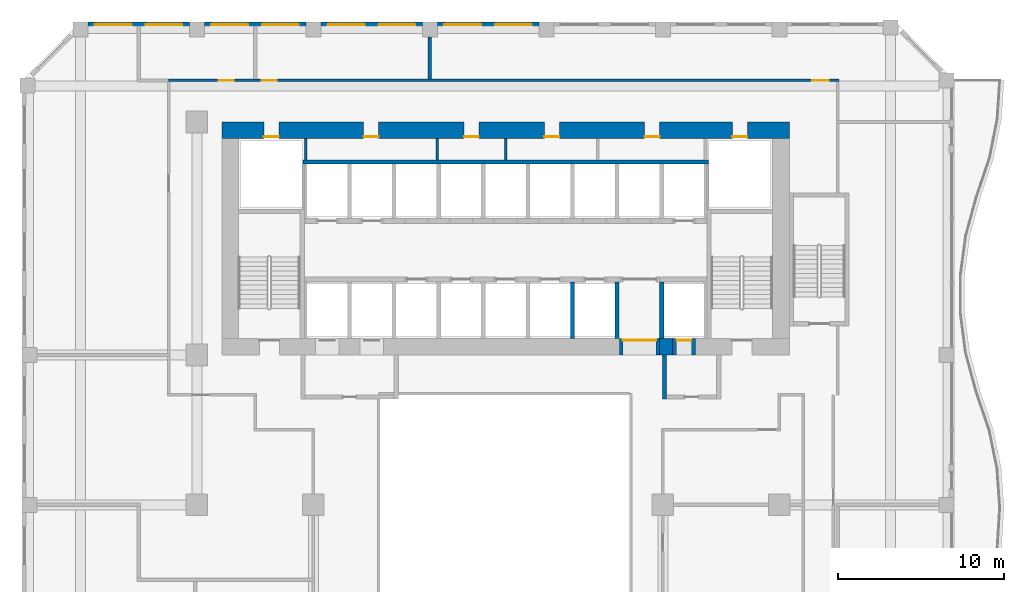
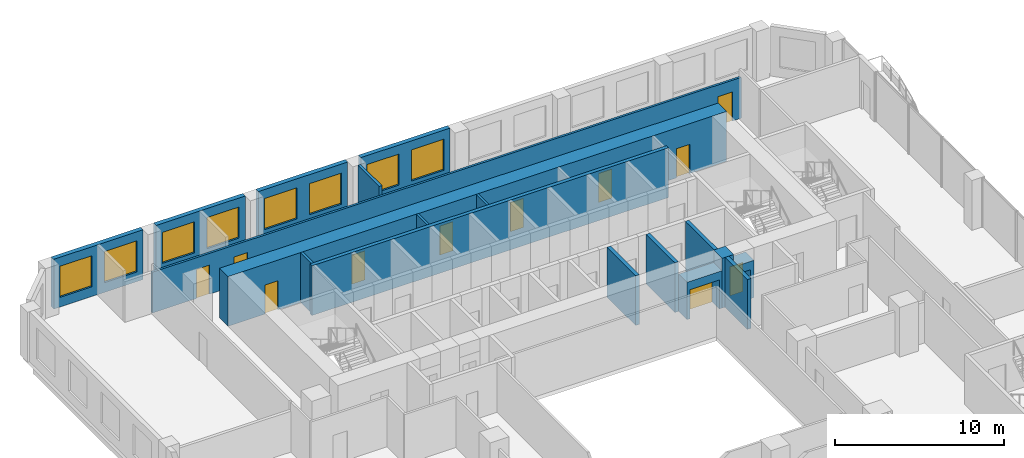
# One storey, part 16 of 23: 18 walls, 11 doors, 8 windows, 19 openings.
"""IFC4 building model written with IfcOpenShell, lengths in metres."""

import ifcopenshell
import ifcopenshell.guid

model = None  # the IFC model being written
_history = None  # IfcOwnerHistory: only IFC2X3 demands one
_inside = {}  # id of a spatial element -> (the spatial element, [elements in it])
_under = {}  # id of a project, library or spatial element -> (it, [spatial elements below it])
_declared = {}  # id of a project -> (the project, [libraries it declares])
_typed = {}  # id of a type object -> (the type object, [elements of that type])
_made_of = {}  # id of a material, layer set ... -> (it, [elements and type objects made of it])


def new_model(schema):
    """Start an empty IFC model of exactly this schema.

    Asked for "IFC4X3", IfcOpenShell would pick the latest addendum, in which some entities
    have other attributes; the version numbers below select the first issue.
    IFC2X3 requires an IfcOwnerHistory on every rooted entity: one is made here for all.
    """
    global model, _history
    if schema == "IFC4X3":
        model = ifcopenshell.file(schema_version=(4, 3, 0, 0))
    else:
        model = ifcopenshell.file(schema=schema)
    _inside.clear()
    _under.clear()
    _declared.clear()
    _typed.clear()
    _made_of.clear()
    _history = None
    if model.schema == "IFC2X3":
        org = make("IfcOrganization", Name="unknown")
        user = make(
            "IfcPersonAndOrganization",
            ThePerson=make("IfcPerson", FamilyName="unknown"),
            TheOrganization=org,
        )
        app = make(
            "IfcApplication",
            ApplicationDeveloper=org,
            Version="unknown",
            ApplicationFullName="unknown",
            ApplicationIdentifier="unknown",
        )
        _history = make(
            "IfcOwnerHistory",
            OwningUser=user,
            OwningApplication=app,
            ChangeAction="ADDED",
            CreationDate=0,
        )
    return model


def make(cls, **values):
    """One entity of the class cls with the attributes given. An attribute that is None is left unset."""
    return model.create_entity(
        cls, **{name: value for name, value in values.items() if value is not None}
    )


def rooted(cls, **values):
    """An entity with a GlobalId (a new one), such as an element, a storey or a relation."""
    return make(cls, GlobalId=ifcopenshell.guid.new(), OwnerHistory=_history, **values)


def si_unit(unit_type, name, prefix=None):
    """IfcSIUnit, for example si_unit("LENGTHUNIT", "METRE", prefix="MILLI")."""
    return make("IfcSIUnit", UnitType=unit_type, Prefix=prefix, Name=name)


def assignment(units):
    """IfcUnitAssignment: the units of a project."""
    return None if units is None else make("IfcUnitAssignment", Units=units)


def point(xyz):
    """IfcCartesianPoint."""
    return None if xyz is None else make("IfcCartesianPoint", Coordinates=xyz)


def direction(xyz):
    """IfcDirection."""
    return None if xyz is None else make("IfcDirection", DirectionRatios=xyz)


def frame(location, z_axis=None, x_axis=None):
    """IfcAxis2Placement3D, a coordinate frame: its origin and axes. An axis left out is left unset."""
    return make(
        "IfcAxis2Placement3D",
        Location=point(location),
        Axis=direction(z_axis),
        RefDirection=direction(x_axis),
    )


def frame_2d(location, x_axis=None):
    """IfcAxis2Placement2D, a coordinate frame in the plane: its origin and x axis."""
    return make(
        "IfcAxis2Placement2D", Location=point(location), RefDirection=direction(x_axis)
    )


def origin():
    """The frame at (0, 0, 0) with its axes left unset."""
    return frame((0.0, 0.0, 0.0))


def place(relative_to, where):
    """IfcLocalPlacement: puts the frame where relative to a parent placement (None: the world)."""
    return make(
        "IfcLocalPlacement", PlacementRelTo=relative_to, RelativePlacement=where
    )


def context(
    kind, dimensions, precision=None, world=None, true_north=None, identifier=None
):
    """IfcGeometricRepresentationContext, for example the 3D "Model" context."""
    return make(
        "IfcGeometricRepresentationContext",
        ContextIdentifier=identifier,
        ContextType=kind,
        CoordinateSpaceDimension=dimensions,
        Precision=precision,
        WorldCoordinateSystem=world,
        TrueNorth=true_north,
    )


def subcontext(parent, identifier, kind, view, scale=None):
    """IfcGeometricRepresentationSubContext, for example "Body" below "Model"."""
    return make(
        "IfcGeometricRepresentationSubContext",
        ContextIdentifier=identifier,
        ContextType=kind,
        ParentContext=parent,
        TargetScale=scale,
        TargetView=view,
    )


def project(units=None, contexts=None):
    """IfcProject with its units and contexts."""
    return rooted(
        "IfcProject",
        Name="project",
        RepresentationContexts=contexts,
        UnitsInContext=assignment(units),
    )


def spatial(cls, under=None, at=None, **own):
    """A site, building, storey or space (cls), placed at a placement, below another one or the project."""
    s = rooted(cls, ObjectPlacement=at, **own)
    if under is not None:
        _under.setdefault(under.id(), (under, []))[1].append(s)
    return s


def profile(cls, at=None, kind="AREA", **sizes):
    """A parametric profile (cls). Its sizes go by their IFC names, for example OverallWidth=200.0."""
    return make(cls, ProfileType=kind, Position=at, **sizes)


def rectangle(**sizes):
    """IfcRectangleProfileDef."""
    return profile("IfcRectangleProfileDef", **sizes)


def extrude(swept, where, along, depth):
    """IfcExtrudedAreaSolid: the profile swept, set in the frame where, extruded along a direction by depth."""
    return make(
        "IfcExtrudedAreaSolid",
        SweptArea=swept,
        Position=where,
        ExtrudedDirection=direction(along),
        Depth=depth,
    )


def shape(context_of_items, identifier, shape_type, items):
    """IfcShapeRepresentation: the items that make up one representation, for example the "Body"."""
    return make(
        "IfcShapeRepresentation",
        ContextOfItems=context_of_items,
        RepresentationIdentifier=identifier,
        RepresentationType=shape_type,
        Items=items,
    )


def source(mapping_origin, context_of_items, identifier, shape_type, items):
    """IfcRepresentationMap: a shape defined once, which mapped items show again and again."""
    return make(
        "IfcRepresentationMap",
        MappingOrigin=mapping_origin,
        MappedRepresentation=shape(context_of_items, identifier, shape_type, items),
    )


def transform(
    local_origin,
    x_axis=None,
    y_axis=None,
    z_axis=None,
    scale=None,
    scale2=None,
    scale3=None,
    uniform=True,
):
    """IfcCartesianTransformationOperator3D, or its non-uniform kind. x_axis, y_axis, z_axis: its Axis1, 2, 3."""
    if uniform:
        return make(
            "IfcCartesianTransformationOperator3D",
            Axis1=direction(x_axis),
            Axis2=direction(y_axis),
            LocalOrigin=point(local_origin),
            Scale=scale,
            Axis3=direction(z_axis),
        )
    return make(
        "IfcCartesianTransformationOperator3DnonUniform",
        Axis1=direction(x_axis),
        Axis2=direction(y_axis),
        LocalOrigin=point(local_origin),
        Scale=scale,
        Axis3=direction(z_axis),
        Scale2=scale2,
        Scale3=scale3,
    )


def mapped(mapping_source, mapping_target):
    """IfcMappedItem: shows the shape of a source again, moved by a transform."""
    return make(
        "IfcMappedItem", MappingSource=mapping_source, MappingTarget=mapping_target
    )


def material(Name=None, Category=None):
    """IfcMaterial."""
    return make("IfcMaterial", Name=Name, Category=Category)


def layer(
    of_material, thickness, ventilated=None, Name=None, Category=None, Priority=None
):
    """IfcMaterialLayer: one layer of a wall or slab, of a material (None: an air gap)."""
    return make(
        "IfcMaterialLayer",
        Material=of_material,
        LayerThickness=thickness,
        IsVentilated=ventilated,
        Name=Name,
        Category=Category,
        Priority=Priority,
    )


def layer_set(layers, Name=None):
    """IfcMaterialLayerSet."""
    return make("IfcMaterialLayerSet", MaterialLayers=layers, LayerSetName=Name)


def made_of(thing, what):
    """Note that an element or type object is made of a material, layer set ...; save() writes the relation."""
    if what is not None:
        _made_of.setdefault(what.id(), (what, []))[1].append(thing)
    return thing


def type_object(cls, material=None, **own):
    """A type object (cls), such as IfcWallType, which elements share."""
    return made_of(rooted(cls, **own), material)


def element(
    cls,
    number,
    at=None,
    inside=None,
    cuts=None,
    type_object=None,
    material=None,
    context=None,
    identifier="Body",
    shape_type=None,
    held_by="IfcProductDefinitionShape",
    body=None,
    shapes=None,
    **own,
):
    """One element of the class cls, such as IfcWall. Its Tag is "e" and its number.

    at: its placement. inside: the storey or other place that contains it. cuts: it is an
    opening in that element (IfcRelVoidsElement). A single representation is given by context,
    identifier, shape_type and body (its items); several are given by shapes. held_by: the class
    of the entity that holds the representations. save() writes the other relations.
    """
    e = rooted(cls, Tag="e%d" % number, ObjectPlacement=at, **own)
    if body is not None:
        shapes = [shape(context, identifier, shape_type, body)]
    if shapes is not None:
        e.Representation = make(held_by, Representations=shapes)
    if inside is not None:
        _inside.setdefault(inside.id(), (inside, []))[1].append(e)
    if cuts is not None:
        rooted(
            "IfcRelVoidsElement", RelatingBuildingElement=cuts, RelatedOpeningElement=e
        )
    if type_object is not None:
        _typed.setdefault(type_object.id(), (type_object, []))[1].append(e)
    return made_of(e, material)


def fill(opening, filler):
    """IfcRelFillsElement: the door or window that sits in an opening."""
    return rooted(
        "IfcRelFillsElement",
        RelatingOpeningElement=opening,
        RelatedBuildingElement=filler,
    )


def aggregate(whole, parts):
    """IfcRelAggregates: a whole, such as a stair, and the parts it consists of."""
    return rooted("IfcRelAggregates", RelatingObject=whole, RelatedObjects=parts)


def save(model, path):
    """Write the relations noted so far, then the file.

    IfcRelAggregates (storeys below a building ...), IfcRelContainedInSpatialStructure (elements
    in a storey), IfcRelDefinesByType, IfcRelAssociatesMaterial and IfcRelDeclares: one each for
    every whole, place, type object, material and project.
    """
    for whole, parts in _under.values():
        aggregate(whole, parts)
    for where, things in _inside.values():
        rooted(
            "IfcRelContainedInSpatialStructure",
            RelatedElements=things,
            RelatingStructure=where,
        )
    for kind, things in _typed.values():
        rooted("IfcRelDefinesByType", RelatedObjects=things, RelatingType=kind)
    for what, things in _made_of.values():
        rooted("IfcRelAssociatesMaterial", RelatedObjects=things, RelatingMaterial=what)
    for by, libraries in _declared.values():
        rooted("IfcRelDeclares", RelatingContext=by, RelatedDefinitions=libraries)
    model.write(path)


model = new_model("IFC4")

# Units and contexts
model_context = context("Model", 3, precision=1e-05, world=origin(), true_north=direction((0.0, 1.0)))
body_context = subcontext(model_context, "Body", "Model", "MODEL_VIEW")
ifc_project = project(units=[si_unit("LENGTHUNIT", "METRE"), si_unit("AREAUNIT", "SQUARE_METRE"), si_unit("VOLUMEUNIT", "CUBIC_METRE"), si_unit("PLANEANGLEUNIT", "RADIAN"), si_unit("MASSUNIT", "GRAM", prefix="KILO")], contexts=[model_context])

# Site, building, storey
site_placement = place(None, origin())
site = spatial("IfcSite", under=ifc_project, at=site_placement, CompositionType="ELEMENT")
building_placement = place(site_placement, origin())
building = spatial("IfcBuilding", under=site, at=building_placement, Name="Kilnfold Tower and Market Hall", CompositionType="ELEMENT")
storey_placement = place(building_placement, frame((0.0, 0.0, 55.0)))
storey = spatial("IfcBuildingStorey", under=building, at=storey_placement, Name="L12", CompositionType="ELEMENT", Elevation=55.0)

# Wall, openings, doors
ifc_material_1 = material(Name="Gypsum board on steel studs", Category="steel")
ifc_layer_1 = layer(ifc_material_1, 0.14990234375)
ifc_layer_set_1 = layer_set([ifc_layer_1], Name="Gypsum board on steel studs")
wall_type_1 = type_object("IfcWallType", Name="WALL CORRIDOR 150", PredefinedType="PARTITIONING", material=ifc_layer_set_1)
wall_1_placement = place(storey_placement, frame((-19.199951171875, 24.5, 0.0), z_axis=(0.0, 0.0, 1.0), x_axis=(1.0, 0.0, 0.0)))
wall_1 = element("IfcWall", 1, at=wall_1_placement, inside=storey, type_object=wall_type_1, Name="Partition LY10.40", PredefinedType="PARTITIONING", context=body_context, shape_type="SweptSolid", body=[
    extrude(rectangle(XDim=40.27490234375, YDim=0.14990234375, at=frame_2d((20.137451171875, 0.0))), origin(), (0.0, 0.0, 1.0), 2.949951171875),
])
opening_1_placement = place(wall_1_placement, frame((3.007080078125, 0.0, 0.0)))
opening_1 = element("IfcOpeningElement", 2, at=opening_1_placement, cuts=wall_1, Name="Opening D2", PredefinedType="OPENING", context=body_context, shape_type="SweptSolid", body=[
    extrude(rectangle(XDim=0.89990234375, YDim=2.10009765625, at=frame_2d((0.449951171875, 1.050048828125))), frame((0.0, 0.0849609375, 0.0), z_axis=(0.0, -1.0, 0.0), x_axis=(1.0, 0.0, 0.0)), (0.0, 0.0, 1.0), 0.169921875),
])
opening_2_placement = place(wall_1_placement, frame((5.590087890625, 0.0, 0.0)))
opening_2 = element("IfcOpeningElement", 3, at=opening_2_placement, cuts=wall_1, Name="Opening D3", PredefinedType="OPENING", context=body_context, shape_type="SweptSolid", body=[
    extrude(rectangle(XDim=0.89990234375, YDim=2.10009765625, at=frame_2d((0.449951171875, 1.050048828125))), frame((0.0, 0.0849609375, 0.0), z_axis=(0.0, -1.0, 0.0), x_axis=(1.0, 0.0, 0.0)), (0.0, 0.0, 1.0), 0.169921875),
])
opening_3_placement = place(wall_1_placement, frame((38.674072265625, 0.0, 0.0)))
opening_3 = element("IfcOpeningElement", 4, at=opening_3_placement, cuts=wall_1, Name="Opening D1", PredefinedType="OPENING", context=body_context, shape_type="SweptSolid", body=[
    extrude(rectangle(XDim=1.0, YDim=2.10009765625, at=frame_2d((0.5, 1.050048828125))), frame((0.0, 0.0849609375, 0.0), z_axis=(0.0, -1.0, 0.0), x_axis=(1.0, 0.0, 0.0)), (0.0, 0.0, 1.0), 0.169921875),
])
ifc_material_2 = material(Name="Timber veneer door leaf in steel frame", Category="steel")
door_type_1 = type_object("IfcDoorType", Name="DOOR ENTRY 1000 X2100", OperationType="NOTDEFINED", PredefinedType="DOOR", material=ifc_material_2)
door_1_placement = place(opening_3_placement, origin())
door_1 = element("IfcDoor", 5, at=door_1_placement, inside=storey, type_object=door_type_1, Name="Door D1", OperationType="SINGLE_SWING_LEFT", OverallHeight=2.10009765625, OverallWidth=1.0, PredefinedType="DOOR", context=body_context, shape_type="SweptSolid", body=[
    extrude(rectangle(XDim=1.0, YDim=2.10009765625, at=frame_2d((0.5, 1.050048828125))), frame((0.0, 0.02490234375, 0.0), z_axis=(0.0, -1.0, 0.0), x_axis=(1.0, 0.0, 0.0)), (0.0, 0.0, 1.0), 0.050048828125),
])
fill(opening_3, door_1)
ifc_material_3 = material(Name="Timber veneer door leaf in steel frame", Category="steel")
door_type_2 = type_object("IfcDoorType", Name="DOOR ROOM 900 X2100", OperationType="NOTDEFINED", PredefinedType="DOOR", material=ifc_material_3)
door_2_placement = place(opening_1_placement, origin())
door_2 = element("IfcDoor", 6, at=door_2_placement, inside=storey, type_object=door_type_2, Name="Door D2", OperationType="SINGLE_SWING_RIGHT", OverallHeight=2.10009765625, OverallWidth=0.89990234375, PredefinedType="DOOR", context=body_context, shape_type="SweptSolid", body=[
    extrude(rectangle(XDim=0.89990234375, YDim=2.10009765625, at=frame_2d((0.449951171875, 1.050048828125))), frame((0.0, 0.02490234375, 0.0), z_axis=(0.0, -1.0, 0.0), x_axis=(1.0, 0.0, 0.0)), (0.0, 0.0, 1.0), 0.050048828125),
])
fill(opening_1, door_2)
ifc_material_4 = material(Name="Timber veneer door leaf in steel frame", Category="steel")
door_type_3 = type_object("IfcDoorType", Name="DOOR WC 900 X2100", OperationType="NOTDEFINED", PredefinedType="DOOR", material=ifc_material_4)
door_3_placement = place(opening_2_placement, origin())
door_3 = element("IfcDoor", 7, at=door_3_placement, inside=storey, type_object=door_type_3, Name="Door D3", OperationType="SINGLE_SWING_LEFT", OverallHeight=2.10009765625, OverallWidth=0.89990234375, PredefinedType="DOOR", context=body_context, shape_type="SweptSolid", body=[
    extrude(rectangle(XDim=0.89990234375, YDim=2.10009765625, at=frame_2d((0.449951171875, 1.050048828125))), frame((0.0, 0.02490234375, 0.0), z_axis=(0.0, -1.0, 0.0), x_axis=(1.0, 0.0, 0.0)), (0.0, 0.0, 1.0), 0.050048828125),
])
fill(opening_2, door_3)

# Walls
ifc_material_5 = material(Name="Gypsum board on steel studs", Category="steel")
ifc_layer_2 = layer(ifc_material_5, 0.199951171875)
ifc_layer_set_2 = layer_set([ifc_layer_2], Name="Gypsum board on steel studs")
wall_type_2 = type_object("IfcWallType", Name="WALL PARTY 200", PredefinedType="PARTITIONING", material=ifc_layer_set_2)
wall_2_placement = place(storey_placement, frame((-3.5, 24.575927734375, 0.0), z_axis=(0.0, 0.0, 1.0), x_axis=(0.0, 1.0, 0.0)))
element("IfcWall", 8, at=wall_2_placement, inside=storey, type_object=wall_type_2, Name="Partition LY10.64", PredefinedType="PARTITIONING", context=body_context, shape_type="SweptSolid", body=[
    extrude(rectangle(XDim=2.524169921875, YDim=0.199951171875, at=frame_2d((1.26220703125, 0.0))), origin(), (0.0, 0.0, 1.0), 3.60009765625),
])
ifc_material_6 = material(Name="Concrete C80", Category="concrete")
ifc_layer_3 = layer(ifc_material_6, 1.0)
ifc_layer_set_3 = layer_set([ifc_layer_3], Name="Concrete C80")
wall_type_3 = type_object("IfcWallType", Name="CORE WALL 1000 C80", PredefinedType="SHEAR", material=ifc_layer_set_3)
shared_shape_1 = source(origin(), body_context, "Body", "SweptSolid", [
    extrude(rectangle(XDim=0.780029296875, YDim=1.0, at=frame_2d((0.39013671875, 0.0))), origin(), (0.0, 0.0, 1.0), 3.60009765625),
])
wall_3_placement = place(storey_placement, frame((10.2900390625, 8.5, 0.0), z_axis=(0.0, 0.0, 1.0), x_axis=(1.0, 0.0, 0.0)))
element("IfcWall", 9, at=wall_3_placement, inside=storey, type_object=wall_type_3, Name="Core outer wall south", PredefinedType="SHEAR", context=body_context, shape_type="MappedRepresentation", body=[
    mapped(shared_shape_1, transform((0.0, 0.0, 0.0))),
])

# Wall, openings, doors
shared_shape_2 = source(origin(), body_context, "Body", "SweptSolid", [
    extrude(rectangle(XDim=34.10009765625, YDim=1.0, at=frame_2d((17.050048828125, 0.0))), origin(), (0.0, 0.0, 1.0), 3.60009765625),
])
wall_4_placement = place(storey_placement, frame((-16.0, 21.5, 0.0), z_axis=(0.0, 0.0, 1.0), x_axis=(1.0, 0.0, 0.0)))
wall_4 = element("IfcWall", 10, at=wall_4_placement, inside=storey, type_object=wall_type_3, Name="Core outer wall north", PredefinedType="SHEAR", context=body_context, shape_type="MappedRepresentation", body=[
    mapped(shared_shape_2, transform((0.0, 0.0, 0.0))),
])
opening_4_placement = place(wall_4_placement, frame((8.519775390625, 0.0, 0.0)))
opening_4 = element("IfcOpeningElement", 11, at=opening_4_placement, cuts=wall_4, Name="Opening KD1", PredefinedType="OPENING", context=body_context, shape_type="SweptSolid", body=[
    extrude(rectangle(XDim=0.89990234375, YDim=2.10009765625, at=frame_2d((0.449951171875, 1.050048828125))), frame((0.0, 0.510009765625, 0.0), z_axis=(0.0, -1.0, 0.0), x_axis=(1.0, 0.0, 0.0)), (0.0, 0.0, 1.0), 1.02001953125),
])
opening_5_placement = place(wall_4_placement, frame((14.5498046875, 0.0, 0.0)))
opening_5 = element("IfcOpeningElement", 12, at=opening_5_placement, cuts=wall_4, Name="Opening KD1", PredefinedType="OPENING", context=body_context, shape_type="SweptSolid", body=[
    extrude(rectangle(XDim=0.89990234375, YDim=2.10009765625, at=frame_2d((0.449951171875, 1.050048828125))), frame((0.0, 0.510009765625, 0.0), z_axis=(0.0, -1.0, 0.0), x_axis=(1.0, 0.0, 0.0)), (0.0, 0.0, 1.0), 1.02001953125),
])
opening_6_placement = place(wall_4_placement, frame((19.373779296875, 0.0, 0.0)))
opening_6 = element("IfcOpeningElement", 13, at=opening_6_placement, cuts=wall_4, Name="Opening KD1", PredefinedType="OPENING", context=body_context, shape_type="SweptSolid", body=[
    extrude(rectangle(XDim=0.89990234375, YDim=2.10009765625, at=frame_2d((0.449951171875, 1.050048828125))), frame((0.0, 0.510009765625, 0.0), z_axis=(0.0, -1.0, 0.0), x_axis=(1.0, 0.0, 0.0)), (0.0, 0.0, 1.0), 1.02001953125),
])
opening_7_placement = place(wall_4_placement, frame((25.40380859375, 0.0, 0.0)))
opening_7 = element("IfcOpeningElement", 14, at=opening_7_placement, cuts=wall_4, Name="Opening KD1", PredefinedType="OPENING", context=body_context, shape_type="SweptSolid", body=[
    extrude(rectangle(XDim=0.89990234375, YDim=2.10009765625, at=frame_2d((0.449951171875, 1.050048828125))), frame((0.0, 0.510009765625, 0.0), z_axis=(0.0, -1.0, 0.0), x_axis=(1.0, 0.0, 0.0)), (0.0, 0.0, 1.0), 1.02001953125),
])
opening_8_placement = place(wall_4_placement, frame((2.52490234375, 0.0, 0.0)))
opening_8 = element("IfcOpeningElement", 15, at=opening_8_placement, cuts=wall_4, Name="Opening KD1", PredefinedType="OPENING", context=body_context, shape_type="SweptSolid", body=[
    extrude(rectangle(XDim=0.89990234375, YDim=2.10009765625, at=frame_2d((0.449951171875, 1.050048828125))), frame((0.0, 0.510009765625, 0.0), z_axis=(0.0, -1.0, 0.0), x_axis=(1.0, 0.0, 0.0)), (0.0, 0.0, 1.0), 1.02001953125),
])
opening_9_placement = place(wall_4_placement, frame((30.675048828125, 0.0, 0.0)))
opening_9 = element("IfcOpeningElement", 16, at=opening_9_placement, cuts=wall_4, Name="Opening KD1", PredefinedType="OPENING", context=body_context, shape_type="SweptSolid", body=[
    extrude(rectangle(XDim=0.89990234375, YDim=2.10009765625, at=frame_2d((0.449951171875, 1.050048828125))), frame((0.0, 0.510009765625, 0.0), z_axis=(0.0, -1.0, 0.0), x_axis=(1.0, 0.0, 0.0)), (0.0, 0.0, 1.0), 1.02001953125),
])
ifc_material_7 = material(Name="Steel door set with fire-resisting leaf", Category="steel")
door_type_4 = type_object("IfcDoorType", Name="SERVICE DOOR 900X2100", OperationType="NOTDEFINED", PredefinedType="DOOR", material=ifc_material_7)
door_4_placement = place(opening_4_placement, origin())
door_4 = element("IfcDoor", 17, at=door_4_placement, inside=storey, type_object=door_type_4, Name="Core service door", OperationType="SINGLE_SWING_RIGHT", OverallHeight=2.10009765625, OverallWidth=0.89990234375, PredefinedType="DOOR", context=body_context, shape_type="SweptSolid", body=[
    extrude(rectangle(XDim=0.89990234375, YDim=2.10009765625, at=frame_2d((0.449951171875, 1.050048828125))), frame((0.0, -0.35498046875, 0.0), z_axis=(0.0, -1.0, 0.0), x_axis=(1.0, 0.0, 0.0)), (0.0, 0.0, 1.0), 0.050048828125),
])
fill(opening_4, door_4)
door_5_placement = place(opening_5_placement, origin())
door_5 = element("IfcDoor", 18, at=door_5_placement, inside=storey, type_object=door_type_4, Name="Core service door", OperationType="SINGLE_SWING_LEFT", OverallHeight=2.10009765625, OverallWidth=0.89990234375, PredefinedType="DOOR", context=body_context, shape_type="SweptSolid", body=[
    extrude(rectangle(XDim=0.89990234375, YDim=2.10009765625, at=frame_2d((0.449951171875, 1.050048828125))), frame((0.0, -0.35498046875, 0.0), z_axis=(0.0, -1.0, 0.0), x_axis=(1.0, 0.0, 0.0)), (0.0, 0.0, 1.0), 0.050048828125),
])
fill(opening_5, door_5)
door_6_placement = place(opening_6_placement, origin())
door_6 = element("IfcDoor", 19, at=door_6_placement, inside=storey, type_object=door_type_4, Name="Core service door", OperationType="SINGLE_SWING_RIGHT", OverallHeight=2.10009765625, OverallWidth=0.89990234375, PredefinedType="DOOR", context=body_context, shape_type="SweptSolid", body=[
    extrude(rectangle(XDim=0.89990234375, YDim=2.10009765625, at=frame_2d((0.449951171875, 1.050048828125))), frame((0.0, -0.35498046875, 0.0), z_axis=(0.0, -1.0, 0.0), x_axis=(1.0, 0.0, 0.0)), (0.0, 0.0, 1.0), 0.050048828125),
])
fill(opening_6, door_6)
door_7_placement = place(opening_7_placement, origin())
door_7 = element("IfcDoor", 20, at=door_7_placement, inside=storey, type_object=door_type_4, Name="Core service door", OperationType="SINGLE_SWING_LEFT", OverallHeight=2.10009765625, OverallWidth=0.89990234375, PredefinedType="DOOR", context=body_context, shape_type="SweptSolid", body=[
    extrude(rectangle(XDim=0.89990234375, YDim=2.10009765625, at=frame_2d((0.449951171875, 1.050048828125))), frame((0.0, -0.35498046875, 0.0), z_axis=(0.0, -1.0, 0.0), x_axis=(1.0, 0.0, 0.0)), (0.0, 0.0, 1.0), 0.050048828125),
])
fill(opening_7, door_7)
door_8_placement = place(opening_8_placement, origin())
door_8 = element("IfcDoor", 21, at=door_8_placement, inside=storey, type_object=door_type_4, Name="Electrical riser access door", OperationType="SINGLE_SWING_RIGHT", OverallHeight=2.10009765625, OverallWidth=0.89990234375, PredefinedType="DOOR", context=body_context, shape_type="SweptSolid", body=[
    extrude(rectangle(XDim=0.89990234375, YDim=2.10009765625, at=frame_2d((0.449951171875, 1.050048828125))), frame((0.0, -0.35498046875, 0.0), z_axis=(0.0, -1.0, 0.0), x_axis=(1.0, 0.0, 0.0)), (0.0, 0.0, 1.0), 0.050048828125),
])
fill(opening_8, door_8)
door_9_placement = place(opening_9_placement, origin())
door_9 = element("IfcDoor", 22, at=door_9_placement, inside=storey, type_object=door_type_4, Name="Mechanical riser access door", OperationType="SINGLE_SWING_LEFT", OverallHeight=2.10009765625, OverallWidth=0.89990234375, PredefinedType="DOOR", context=body_context, shape_type="SweptSolid", body=[
    extrude(rectangle(XDim=0.89990234375, YDim=2.10009765625, at=frame_2d((0.449951171875, 1.050048828125))), frame((0.0, -0.35498046875, 0.0), z_axis=(0.0, -1.0, 0.0), x_axis=(1.0, 0.0, 0.0)), (0.0, 0.0, 1.0), 0.050048828125),
])
fill(opening_9, door_9)

# Wall, openings, windows
ifc_material_8 = material(Name="Precast concrete C50/60", Category="concrete")
ifc_layer_4 = layer(ifc_material_8, 0.300048828125)
ifc_layer_set_4 = layer_set([ifc_layer_4], Name="Precast concrete C50/60")
wall_type_4 = type_object("IfcWallType", Name="PRECAST WALL 300", PredefinedType="SOLIDWALL", material=ifc_layer_set_4)
shared_shape_3 = source(origin(), body_context, "Body", "SweptSolid", [
    extrude(rectangle(XDim=6.10009765625, YDim=0.300048828125, at=frame_2d((3.050048828125, 0.0))), origin(), (0.0, 0.0, 1.0), 3.60009765625),
])
wall_5_placement = place(storey_placement, frame((3.050048828125, 27.85009765625, 0.0), z_axis=(0.0, 0.0, 1.0), x_axis=(-1.0, 0.0, 0.0)))
wall_5 = element("IfcWall", 23, at=wall_5_placement, inside=storey, type_object=wall_type_4, Name="External wall L12 N", PredefinedType="SOLIDWALL", context=body_context, shape_type="MappedRepresentation", body=[
    mapped(shared_shape_3, transform((0.0, 0.0, 0.0))),
])
opening_10_placement = place(wall_5_placement, frame((0.425048828125, 0.0, 0.699951171875)))
opening_10 = element("IfcOpeningElement", 24, at=opening_10_placement, cuts=wall_5, Name="Opening W1", PredefinedType="OPENING", context=body_context, shape_type="SweptSolid", body=[
    extrude(rectangle(XDim=2.199951171875, YDim=2.25, at=frame_2d((1.10009765625, 1.125))), frame((0.0, 0.16015625, 0.0), z_axis=(0.0, -1.0, 0.0), x_axis=(1.0, 0.0, 0.0)), (0.0, 0.0, 1.0), 0.320068359375),
])
opening_11_placement = place(wall_5_placement, frame((3.47509765625, 0.0, 0.699951171875)))
opening_11 = element("IfcOpeningElement", 25, at=opening_11_placement, cuts=wall_5, Name="Opening W1", PredefinedType="OPENING", context=body_context, shape_type="SweptSolid", body=[
    extrude(rectangle(XDim=2.199951171875, YDim=2.25, at=frame_2d((1.10009765625, 1.125))), frame((0.0, 0.16015625, 0.0), z_axis=(0.0, -1.0, 0.0), x_axis=(1.0, 0.0, 0.0)), (0.0, 0.0, 1.0), 0.320068359375),
])
ifc_material_9 = material(Name="Aluminium frame and double glazing", Category="aluminium")
window_type = type_object("IfcWindowType", Name="WINDOW W1 2200X2250", PartitioningType="SINGLE_PANEL", PredefinedType="WINDOW", material=ifc_material_9)
window_1_placement = place(opening_10_placement, origin())
window_1 = element("IfcWindow", 26, at=window_1_placement, inside=storey, type_object=window_type, Name="Window W1 L12 N-1", OverallHeight=2.25, OverallWidth=2.199951171875, PartitioningType="SINGLE_PANEL", PredefinedType="WINDOW", context=body_context, shape_type="SweptSolid", body=[
    extrude(rectangle(XDim=2.199951171875, YDim=2.25, at=frame_2d((1.10009765625, 1.125))), frame((0.0, 0.030029296875, 0.0), z_axis=(0.0, -1.0, 0.0), x_axis=(1.0, 0.0, 0.0)), (0.0, 0.0, 1.0), 0.06005859375),
])
fill(opening_10, window_1)
window_2_placement = place(opening_11_placement, origin())
window_2 = element("IfcWindow", 27, at=window_2_placement, inside=storey, type_object=window_type, Name="Window W1 L12 N-2", OverallHeight=2.25, OverallWidth=2.199951171875, PartitioningType="SINGLE_PANEL", PredefinedType="WINDOW", context=body_context, shape_type="SweptSolid", body=[
    extrude(rectangle(XDim=2.199951171875, YDim=2.25, at=frame_2d((1.10009765625, 1.125))), frame((0.0, 0.030029296875, 0.0), z_axis=(0.0, -1.0, 0.0), x_axis=(1.0, 0.0, 0.0)), (0.0, 0.0, 1.0), 0.06005859375),
])
fill(opening_11, window_2)

wall_6_placement = place(storey_placement, frame((-3.949951171875, 27.85009765625, 0.0), z_axis=(0.0, 0.0, 1.0), x_axis=(-1.0, 0.0, 0.0)))
wall_6 = element("IfcWall", 28, at=wall_6_placement, inside=storey, type_object=wall_type_4, Name="External wall L12 N", PredefinedType="SOLIDWALL", context=body_context, shape_type="MappedRepresentation", body=[
    mapped(shared_shape_3, transform((0.0, 0.0, 0.0))),
])
opening_12_placement = place(wall_6_placement, frame((0.425048828125, 0.0, 0.699951171875)))
opening_12 = element("IfcOpeningElement", 29, at=opening_12_placement, cuts=wall_6, Name="Opening W1", PredefinedType="OPENING", context=body_context, shape_type="SweptSolid", body=[
    extrude(rectangle(XDim=2.199951171875, YDim=2.25, at=frame_2d((1.10009765625, 1.125))), frame((0.0, 0.16015625, 0.0), z_axis=(0.0, -1.0, 0.0), x_axis=(1.0, 0.0, 0.0)), (0.0, 0.0, 1.0), 0.320068359375),
])
opening_13_placement = place(wall_6_placement, frame((3.47509765625, 0.0, 0.699951171875)))
opening_13 = element("IfcOpeningElement", 30, at=opening_13_placement, cuts=wall_6, Name="Opening W1", PredefinedType="OPENING", context=body_context, shape_type="SweptSolid", body=[
    extrude(rectangle(XDim=2.199951171875, YDim=2.25, at=frame_2d((1.10009765625, 1.125))), frame((0.0, 0.16015625, 0.0), z_axis=(0.0, -1.0, 0.0), x_axis=(1.0, 0.0, 0.0)), (0.0, 0.0, 1.0), 0.320068359375),
])
window_3_placement = place(opening_12_placement, origin())
window_3 = element("IfcWindow", 31, at=window_3_placement, inside=storey, type_object=window_type, Name="Window W1 L12 N-1", OverallHeight=2.25, OverallWidth=2.199951171875, PartitioningType="SINGLE_PANEL", PredefinedType="WINDOW", context=body_context, shape_type="SweptSolid", body=[
    extrude(rectangle(XDim=2.199951171875, YDim=2.25, at=frame_2d((1.10009765625, 1.125))), frame((0.0, 0.030029296875, 0.0), z_axis=(0.0, -1.0, 0.0), x_axis=(1.0, 0.0, 0.0)), (0.0, 0.0, 1.0), 0.06005859375),
])
fill(opening_12, window_3)
window_4_placement = place(opening_13_placement, origin())
window_4 = element("IfcWindow", 32, at=window_4_placement, inside=storey, type_object=window_type, Name="Window W1 L12 N-2", OverallHeight=2.25, OverallWidth=2.199951171875, PartitioningType="SINGLE_PANEL", PredefinedType="WINDOW", context=body_context, shape_type="SweptSolid", body=[
    extrude(rectangle(XDim=2.199951171875, YDim=2.25, at=frame_2d((1.10009765625, 1.125))), frame((0.0, 0.030029296875, 0.0), z_axis=(0.0, -1.0, 0.0), x_axis=(1.0, 0.0, 0.0)), (0.0, 0.0, 1.0), 0.06005859375),
])
fill(opening_13, window_4)

wall_7_placement = place(storey_placement, frame((-10.949951171875, 27.85009765625, 0.0), z_axis=(0.0, 0.0, 1.0), x_axis=(-1.0, 0.0, 0.0)))
wall_7 = element("IfcWall", 33, at=wall_7_placement, inside=storey, type_object=wall_type_4, Name="External wall L12 N", PredefinedType="SOLIDWALL", context=body_context, shape_type="MappedRepresentation", body=[
    mapped(shared_shape_3, transform((0.0, 0.0, 0.0))),
])
opening_14_placement = place(wall_7_placement, frame((0.425048828125, 0.0, 0.699951171875)))
opening_14 = element("IfcOpeningElement", 34, at=opening_14_placement, cuts=wall_7, Name="Opening W1", PredefinedType="OPENING", context=body_context, shape_type="SweptSolid", body=[
    extrude(rectangle(XDim=2.199951171875, YDim=2.25, at=frame_2d((1.10009765625, 1.125))), frame((0.0, 0.16015625, 0.0), z_axis=(0.0, -1.0, 0.0), x_axis=(1.0, 0.0, 0.0)), (0.0, 0.0, 1.0), 0.320068359375),
])
opening_15_placement = place(wall_7_placement, frame((3.47509765625, 0.0, 0.699951171875)))
opening_15 = element("IfcOpeningElement", 35, at=opening_15_placement, cuts=wall_7, Name="Opening W1", PredefinedType="OPENING", context=body_context, shape_type="SweptSolid", body=[
    extrude(rectangle(XDim=2.199951171875, YDim=2.25, at=frame_2d((1.10009765625, 1.125))), frame((0.0, 0.16015625, 0.0), z_axis=(0.0, -1.0, 0.0), x_axis=(1.0, 0.0, 0.0)), (0.0, 0.0, 1.0), 0.320068359375),
])
window_5_placement = place(opening_14_placement, origin())
window_5 = element("IfcWindow", 36, at=window_5_placement, inside=storey, type_object=window_type, Name="Window W1 L12 N-1", OverallHeight=2.25, OverallWidth=2.199951171875, PartitioningType="SINGLE_PANEL", PredefinedType="WINDOW", context=body_context, shape_type="SweptSolid", body=[
    extrude(rectangle(XDim=2.199951171875, YDim=2.25, at=frame_2d((1.10009765625, 1.125))), frame((0.0, 0.030029296875, 0.0), z_axis=(0.0, -1.0, 0.0), x_axis=(1.0, 0.0, 0.0)), (0.0, 0.0, 1.0), 0.06005859375),
])
fill(opening_14, window_5)
window_6_placement = place(opening_15_placement, origin())
window_6 = element("IfcWindow", 37, at=window_6_placement, inside=storey, type_object=window_type, Name="Window W1 L12 N-2", OverallHeight=2.25, OverallWidth=2.199951171875, PartitioningType="SINGLE_PANEL", PredefinedType="WINDOW", context=body_context, shape_type="SweptSolid", body=[
    extrude(rectangle(XDim=2.199951171875, YDim=2.25, at=frame_2d((1.10009765625, 1.125))), frame((0.0, 0.030029296875, 0.0), z_axis=(0.0, -1.0, 0.0), x_axis=(1.0, 0.0, 0.0)), (0.0, 0.0, 1.0), 0.06005859375),
])
fill(opening_15, window_6)

wall_8_placement = place(storey_placement, frame((-17.949951171875, 27.85009765625, 0.0), z_axis=(0.0, 0.0, 1.0), x_axis=(-1.0, 0.0, 0.0)))
wall_8 = element("IfcWall", 38, at=wall_8_placement, inside=storey, type_object=wall_type_4, Name="External wall L12 N", PredefinedType="SOLIDWALL", context=body_context, shape_type="MappedRepresentation", body=[
    mapped(shared_shape_3, transform((0.0, 0.0, 0.0))),
])
opening_16_placement = place(wall_8_placement, frame((0.425048828125, 0.0, 0.699951171875)))
opening_16 = element("IfcOpeningElement", 39, at=opening_16_placement, cuts=wall_8, Name="Opening W1", PredefinedType="OPENING", context=body_context, shape_type="SweptSolid", body=[
    extrude(rectangle(XDim=2.199951171875, YDim=2.25, at=frame_2d((1.10009765625, 1.125))), frame((0.0, 0.16015625, 0.0), z_axis=(0.0, -1.0, 0.0), x_axis=(1.0, 0.0, 0.0)), (0.0, 0.0, 1.0), 0.320068359375),
])
opening_17_placement = place(wall_8_placement, frame((3.47509765625, 0.0, 0.699951171875)))
opening_17 = element("IfcOpeningElement", 40, at=opening_17_placement, cuts=wall_8, Name="Opening W1", PredefinedType="OPENING", context=body_context, shape_type="SweptSolid", body=[
    extrude(rectangle(XDim=2.199951171875, YDim=2.25, at=frame_2d((1.10009765625, 1.125))), frame((0.0, 0.16015625, 0.0), z_axis=(0.0, -1.0, 0.0), x_axis=(1.0, 0.0, 0.0)), (0.0, 0.0, 1.0), 0.320068359375),
])
window_7_placement = place(opening_16_placement, origin())
window_7 = element("IfcWindow", 41, at=window_7_placement, inside=storey, type_object=window_type, Name="Window W1 L12 N-1", OverallHeight=2.25, OverallWidth=2.199951171875, PartitioningType="SINGLE_PANEL", PredefinedType="WINDOW", context=body_context, shape_type="SweptSolid", body=[
    extrude(rectangle(XDim=2.199951171875, YDim=2.25, at=frame_2d((1.10009765625, 1.125))), frame((0.0, 0.030029296875, 0.0), z_axis=(0.0, -1.0, 0.0), x_axis=(1.0, 0.0, 0.0)), (0.0, 0.0, 1.0), 0.06005859375),
])
fill(opening_16, window_7)
window_8_placement = place(opening_17_placement, origin())
window_8 = element("IfcWindow", 42, at=window_8_placement, inside=storey, type_object=window_type, Name="Window W1 L12 N-2", OverallHeight=2.25, OverallWidth=2.199951171875, PartitioningType="SINGLE_PANEL", PredefinedType="WINDOW", context=body_context, shape_type="SweptSolid", body=[
    extrude(rectangle(XDim=2.199951171875, YDim=2.25, at=frame_2d((1.10009765625, 1.125))), frame((0.0, 0.030029296875, 0.0), z_axis=(0.0, -1.0, 0.0), x_axis=(1.0, 0.0, 0.0)), (0.0, 0.0, 1.0), 0.06005859375),
])
fill(opening_17, window_8)

# Wall, opening, door
ifc_material_10 = material(Name="Gypsum shaft wall system")
ifc_layer_5 = layer(ifc_material_10, 1.0)
ifc_layer_set_5 = layer_set([ifc_layer_5], Name="Gypsum shaft wall system")
wall_type_5 = type_object("IfcWallType", Name="LOBBY WALL 1000", PredefinedType="PARTITIONING", material=ifc_layer_set_5)
shared_shape_4 = source(origin(), body_context, "Body", "SweptSolid", [
    extrude(rectangle(XDim=1.39990234375, YDim=1.0, at=frame_2d((0.699951171875, 0.0))), origin(), (0.0, 0.0, 1.0), 2.699951171875),
])
wall_9_placement = place(storey_placement, frame((11.070068359375, 8.5, 0.0), z_axis=(0.0, 0.0, 1.0), x_axis=(1.0, 0.0, 0.0)))
wall_9 = element("IfcWall", 43, at=wall_9_placement, inside=storey, type_object=wall_type_5, Name="Core wall infill", PredefinedType="PARTITIONING", context=body_context, shape_type="MappedRepresentation", body=[
    mapped(shared_shape_4, transform((0.0, 0.0, 0.0))),
])
opening_18_placement = place(wall_9_placement, frame((0.25, 0.0, 0.0)))
opening_18 = element("IfcOpeningElement", 44, at=opening_18_placement, cuts=wall_9, Name="Opening LD1", PredefinedType="OPENING", context=body_context, shape_type="SweptSolid", body=[
    extrude(rectangle(XDim=0.89990234375, YDim=2.10009765625, at=frame_2d((0.449951171875, 1.050048828125))), frame((0.0, 0.510009765625, 0.0), z_axis=(0.0, -1.0, 0.0), x_axis=(1.0, 0.0, 0.0)), (0.0, 0.0, 1.0), 1.02001953125),
])
ifc_material_11 = material(Name="Steel door set with fire-resisting leaf", Category="steel")
door_type_5 = type_object("IfcDoorType", Name="FIREFIGHTING LANDING DOOR 900X2100", OperationType="NOTDEFINED", PredefinedType="DOOR", material=ifc_material_11)
door_10_placement = place(opening_18_placement, origin())
door_10 = element("IfcDoor", 45, at=door_10_placement, inside=storey, type_object=door_type_5, Name="Landing door FF3", OperationType="SLIDING_TO_LEFT", OverallHeight=2.10009765625, OverallWidth=0.89990234375, PredefinedType="DOOR", context=body_context, shape_type="SweptSolid", body=[
    extrude(rectangle(XDim=0.89990234375, YDim=2.10009765625, at=frame_2d((0.449951171875, 1.050048828125))), frame((0.0, 0.40478515625, 0.0), z_axis=(0.0, -1.0, 0.0), x_axis=(1.0, 0.0, 0.0)), (0.0, 0.0, 1.0), 0.050048828125),
])
fill(opening_18, door_10)

shared_shape_5 = source(origin(), body_context, "Body", "SweptSolid", [
    extrude(rectangle(XDim=2.400146484375, YDim=1.0, at=frame_2d((1.2001953125, 0.0))), origin(), (0.0, 0.0, 1.0), 2.699951171875),
])
wall_10_placement = place(storey_placement, frame((7.889892578125, 8.5, 0.0), z_axis=(0.0, 0.0, 1.0), x_axis=(1.0, 0.0, 0.0)))
wall_10 = element("IfcWall", 46, at=wall_10_placement, inside=storey, type_object=wall_type_5, Name="Core wall infill", PredefinedType="PARTITIONING", context=body_context, shape_type="MappedRepresentation", body=[
    mapped(shared_shape_5, transform((0.0, 0.0, 0.0))),
])
opening_19_placement = place(wall_10_placement, frame((0.199951171875, 0.0, 0.0)))
opening_19 = element("IfcOpeningElement", 47, at=opening_19_placement, cuts=wall_10, Name="Opening VD2", PredefinedType="OPENING", context=body_context, shape_type="SweptSolid", body=[
    extrude(rectangle(XDim=2.0, YDim=2.10009765625, at=frame_2d((1.0, 1.050048828125))), frame((0.0, 0.510009765625, 0.0), z_axis=(0.0, -1.0, 0.0), x_axis=(1.0, 0.0, 0.0)), (0.0, 0.0, 1.0), 1.02001953125),
])
ifc_material_12 = material(Name="Steel door set with fire-resisting leaf", Category="steel")
door_type_6 = type_object("IfcDoorType", Name="LIFT LOBBY ENTRANCE DOOR 2000X2100", OperationType="NOTDEFINED", PredefinedType="DOOR", material=ifc_material_12)
door_11_placement = place(opening_19_placement, origin())
door_11 = element("IfcDoor", 48, at=door_11_placement, inside=storey, type_object=door_type_6, Name="Lift lobby entrance door", OperationType="DOUBLE_DOOR_SINGLE_SWING", OverallHeight=2.10009765625, OverallWidth=2.0, PredefinedType="DOOR", context=body_context, shape_type="SweptSolid", body=[
    extrude(rectangle(XDim=2.0, YDim=2.10009765625, at=frame_2d((1.0, 1.050048828125))), frame((0.0, 0.40478515625, 0.0), z_axis=(0.0, -1.0, 0.0), x_axis=(1.0, 0.0, 0.0)), (0.0, 0.0, 1.0), 0.050048828125),
])
fill(opening_19, door_11)

# Walls
ifc_material_13 = material(Name="Gypsum shaft wall system")
ifc_layer_6 = layer(ifc_material_13, 0.25)
ifc_layer_set_6 = layer_set([ifc_layer_6], Name="Gypsum shaft wall system")
wall_type_6 = type_object("IfcWallType", Name="LOBBY WALL 250", PredefinedType="PARTITIONING", material=ifc_layer_set_6)
shared_shape_6 = source(origin(), body_context, "Body", "SweptSolid", [
    extrude(rectangle(XDim=2.64990234375, YDim=0.25, at=frame_2d((1.324951171875, 0.0))), origin(), (0.0, 0.0, 1.0), 3.60009765625),
])
wall_11_placement = place(storey_placement, frame((10.60498046875, 5.35009765625, 0.0), z_axis=(0.0, 0.0, 1.0), x_axis=(0.0, 1.0, 0.0)))
element("IfcWall", 49, at=wall_11_placement, inside=storey, type_object=wall_type_6, Name="Firefighting lobby wall", PredefinedType="PARTITIONING", context=body_context, shape_type="MappedRepresentation", body=[
    mapped(shared_shape_6, transform((0.0, 0.0, 0.0))),
])
ifc_material_14 = material(Name="Gypsum shaft wall system")
ifc_layer_7 = layer(ifc_material_14, 0.25)
ifc_layer_set_7 = layer_set([ifc_layer_7], Name="Gypsum shaft wall system")
wall_type_7 = type_object("IfcWallType", Name="SHAFT WALL 250", PredefinedType="PARTITIONING", material=ifc_layer_set_7)
shared_shape_7 = source(origin(), body_context, "Body", "SweptSolid", [
    extrude(rectangle(XDim=24.3701171875, YDim=0.25, at=frame_2d((12.18505859375, 0.0))), origin(), (0.0, 0.0, 1.0), 3.60009765625),
])
wall_12_placement = place(storey_placement, frame((-11.135009765625, 19.60009765625, 0.0), z_axis=(0.0, 0.0, 1.0), x_axis=(1.0, 0.0, 0.0)))
element("IfcWall", 50, at=wall_12_placement, inside=storey, type_object=wall_type_7, Name="Lift shaft wall", PredefinedType="PARTITIONING", context=body_context, shape_type="MappedRepresentation", body=[
    mapped(shared_shape_7, transform((0.0, 0.0, 0.0))),
])
ifc_material_15 = material(Name="Gypsum shaft wall system")
ifc_layer_8 = layer(ifc_material_15, 0.1650390625)
ifc_layer_set_8 = layer_set([ifc_layer_8], Name="Gypsum shaft wall system")
wall_type_8 = type_object("IfcWallType", Name="SHAFT WALL 165", PredefinedType="PARTITIONING", material=ifc_layer_set_8)
shared_shape_8 = source(origin(), body_context, "Body", "SweptSolid", [
    extrude(rectangle(XDim=1.27490234375, YDim=0.1650390625, at=frame_2d((0.637451171875, 0.0))), origin(), (0.0, 0.0, 1.0), 3.60009765625),
])
wall_13_placement = place(storey_placement, frame((-10.967529296875, 19.72509765625, 0.0), z_axis=(0.0, 0.0, 1.0), x_axis=(0.0, 1.0, 0.0)))
element("IfcWall", 51, at=wall_13_placement, inside=storey, type_object=wall_type_8, Name="Lift shaft wall", PredefinedType="PARTITIONING", context=body_context, shape_type="MappedRepresentation", body=[
    mapped(shared_shape_8, transform((0.0, 0.0, 0.0))),
])
shared_shape_9 = source(origin(), body_context, "Body", "SweptSolid", [
    extrude(rectangle(XDim=3.39990234375, YDim=0.25, at=frame_2d((1.699951171875, 0.0))), origin(), (0.0, 0.0, 1.0), 3.60009765625),
])
for number, where, z_axis, x_axis, name in (
    (52, (10.429931640625, 9.0, 0.0), (0.0, 0.0, 1.0), (0.0, 1.0, 0.0), "Lift shaft wall"),
    (53, (5.070068359375, 9.0, 0.0), (0.0, 0.0, 1.0), (0.0, 1.0, 0.0), "Lift shaft wall"),
    (54, (7.75, 9.0, 0.0), (0.0, 0.0, 1.0), (0.0, 1.0, 0.0), "Lift shaft wall"),
):
    element("IfcWall", number, at=place(storey_placement, frame(where, z_axis=z_axis, x_axis=x_axis)), inside=storey, type_object=wall_type_7, Name=name, PredefinedType="PARTITIONING", context=body_context, shape_type="MappedRepresentation", body=[
        mapped(shared_shape_9, transform((0.0, 0.0, 0.0))),
    ])
ifc_material_16 = material(Name="Gypsum shaft wall system")
ifc_layer_9 = layer(ifc_material_16, 0.14990234375)
ifc_layer_set_9 = layer_set([ifc_layer_9], Name="Gypsum shaft wall system")
wall_type_9 = type_object("IfcWallType", Name="ROOM WALL 150", PredefinedType="PARTITIONING", material=ifc_layer_set_9)
shared_shape_10 = source(origin(), body_context, "Body", "SweptSolid", [
    extrude(rectangle(XDim=1.27490234375, YDim=0.14990234375, at=frame_2d((0.637451171875, 0.0))), origin(), (0.0, 0.0, 1.0), 3.60009765625),
])
for number, where, z_axis, x_axis, name in (
    (55, (-3.05029296875, 19.72509765625, 0.0), (0.0, 0.0, 1.0), (0.0, 1.0, 0.0), "Core room wall"),
    (56, (1.050048828125, 19.72509765625, 0.0), (0.0, 0.0, 1.0), (0.0, 1.0, 0.0), "Core room wall"),
):
    element("IfcWall", number, at=place(storey_placement, frame(where, z_axis=z_axis, x_axis=x_axis)), inside=storey, type_object=wall_type_9, Name=name, PredefinedType="PARTITIONING", context=body_context, shape_type="MappedRepresentation", body=[
        mapped(shared_shape_10, transform((0.0, 0.0, 0.0))),
    ])

save(model, "model.ifc")
